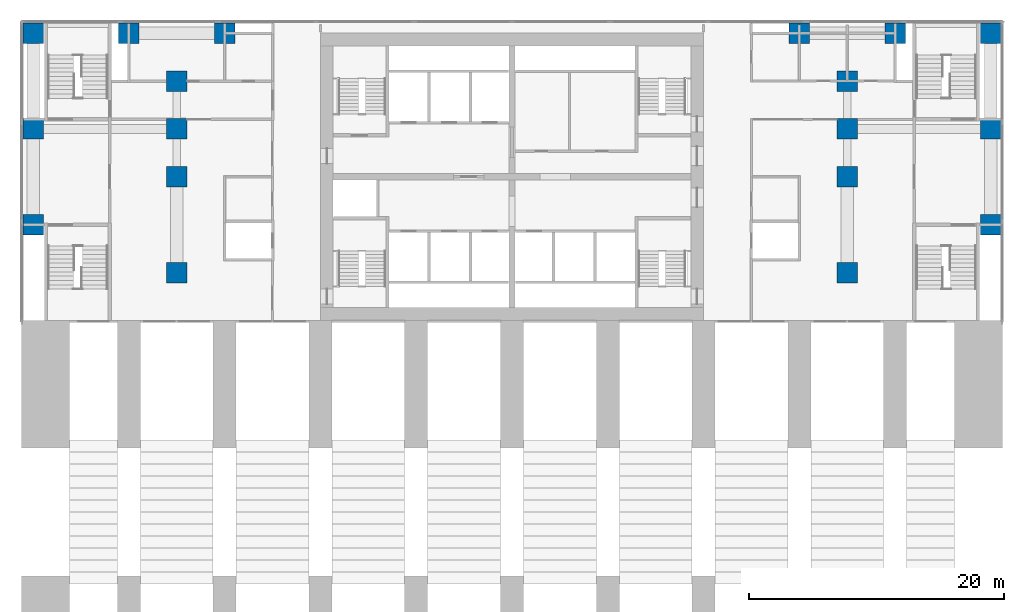
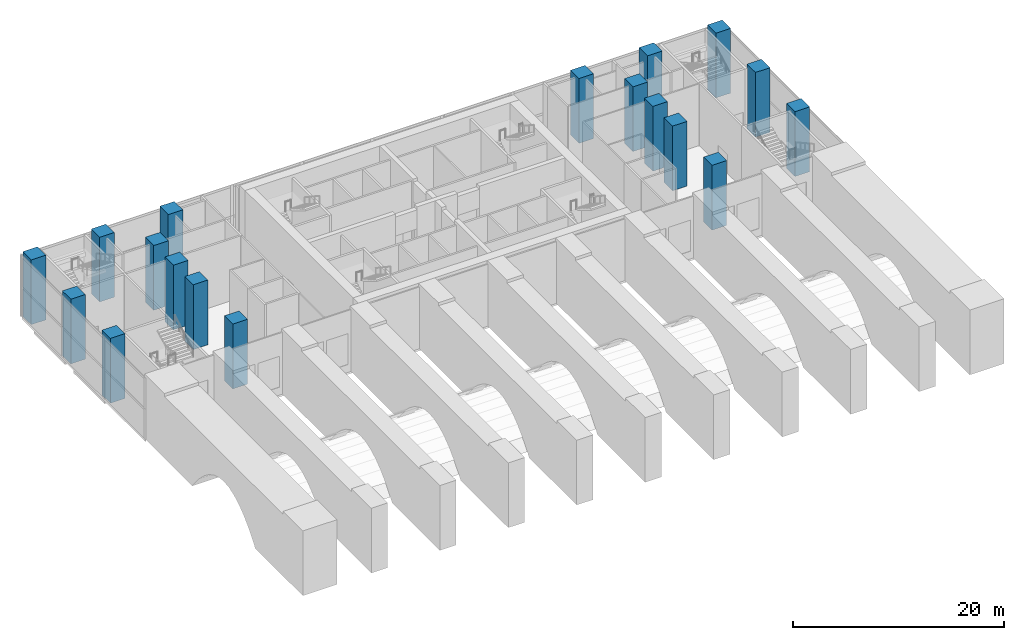
# One storey, part 1 of 15: 18 columns.
"""IFC4 building model written with IfcOpenShell, lengths in metres."""

from ifc_helpers import new_model, si_unit, direction, frame, origin, origin_2d, place, context, subcontext, project, spatial, rectangle, extrude, material, material_profile, profile_set, type_object, element, save


model = new_model("IFC4")

# Units and contexts
model_context = context("Model", 3, precision=1e-05, world=origin(), true_north=direction((0.0, 1.0)))
body_context = subcontext(model_context, "Body", "Model", "MODEL_VIEW")
ifc_project = project(units=[si_unit("LENGTHUNIT", "METRE"), si_unit("AREAUNIT", "SQUARE_METRE"), si_unit("VOLUMEUNIT", "CUBIC_METRE"), si_unit("PLANEANGLEUNIT", "RADIAN"), si_unit("MASSUNIT", "GRAM", prefix="KILO")], contexts=[model_context])

# Site, building, storey
site_placement = place(None, origin())
site = spatial("IfcSite", under=ifc_project, at=site_placement, CompositionType="ELEMENT")
building_placement = place(site_placement, origin())
building = spatial("IfcBuilding", under=site, at=building_placement, Name="Pilkhan Gate Tower", CompositionType="ELEMENT")
storey_placement = place(building_placement, frame((0.0, 0.0, 16.5)))
storey = spatial("IfcBuildingStorey", under=building, at=storey_placement, Name="L02", CompositionType="ELEMENT", Elevation=16.5)

# Columns
ifc_material = material(Name="Concrete C70/85", Category="concrete")
ifc_material_profile = material_profile(ifc_material, rectangle(XDim=1.60009765625, YDim=1.60009765625, at=origin_2d()), Name="RC 1600x1600")
ifc_profile_set = profile_set([ifc_material_profile], Name="Concrete C70/85")
column_type = type_object("IfcColumnType", Name="Column C160 RC 1600x1600 C70/85", PredefinedType="COLUMN", material=ifc_profile_set)
for number, where, z_axis, x_axis, name in (
    (1, (37.5, 78.75, 0.0), (0.0, 0.0, 1.0), (1.0, 0.0, 0.0), "Column 1/L L02"),
    (2, (37.5, 86.25, 0.0), (0.0, 0.0, 1.0), (1.0, 0.0, 0.0), "Column 1/N L02"),
    (3, (37.5, 93.75, 0.0), (0.0, 0.0, 1.0), (1.0, 0.0, 0.0), "Column 1/Q L02"),
    (4, (45.0, 93.75, 0.0), (0.0, 0.0, 1.0), (1.0, 0.0, 0.0), "Column 3/Q L02"),
    (5, (48.75, 75.0, 0.0), (0.0, 0.0, 1.0), (1.0, 0.0, 0.0), "Column 4/K L02"),
    (6, (48.75, 82.5, 0.0), (0.0, 0.0, 1.0), (1.0, 0.0, 0.0), "Column 4/M L02"),
    (7, (48.75, 86.25, 0.0), (0.0, 0.0, 1.0), (1.0, 0.0, 0.0), "Column 4/N L02"),
    (8, (48.75, 90.0, 0.0), (0.0, 0.0, 1.0), (1.0, 0.0, 0.0), "Column 4/P L02"),
    (9, (52.5, 93.75, 0.0), (0.0, 0.0, 1.0), (1.0, 0.0, 0.0), "Column 5/Q L02"),
    (10, (97.5, 93.75, 0.0), (0.0, 0.0, 1.0), (1.0, 0.0, 0.0), "Column 17/Q L02"),
    (11, (101.25, 75.0, 0.0), (0.0, 0.0, 1.0), (1.0, 0.0, 0.0), "Column 18/K L02"),
    (12, (101.25, 82.5, 0.0), (0.0, 0.0, 1.0), (1.0, 0.0, 0.0), "Column 18/M L02"),
    (13, (101.25, 86.25, 0.0), (0.0, 0.0, 1.0), (1.0, 0.0, 0.0), "Column 18/N L02"),
    (14, (101.25, 90.0, 0.0), (0.0, 0.0, 1.0), (1.0, 0.0, 0.0), "Column 18/P L02"),
    (15, (105.0, 93.75, 0.0), (0.0, 0.0, 1.0), (1.0, 0.0, 0.0), "Column 19/Q L02"),
    (16, (112.5, 78.75, 0.0), (0.0, 0.0, 1.0), (1.0, 0.0, 0.0), "Column 21/L L02"),
    (17, (112.5, 86.25, 0.0), (0.0, 0.0, 1.0), (1.0, 0.0, 0.0), "Column 21/N L02"),
    (18, (112.5, 93.75, 0.0), (0.0, 0.0, 1.0), (1.0, 0.0, 0.0), "Column 21/Q L02"),
):
    element("IfcColumn", number, at=place(storey_placement, frame(where, z_axis=z_axis, x_axis=x_axis)), inside=storey, type_object=column_type, Name=name, PredefinedType="COLUMN", context=body_context, shape_type="SweptSolid", body=[
        extrude(rectangle(XDim=1.60009765625, YDim=1.60009765625, at=origin_2d()), origin(), (0.0, 0.0, 1.0), 7.5),
    ])

save(model, "model.ifc")
